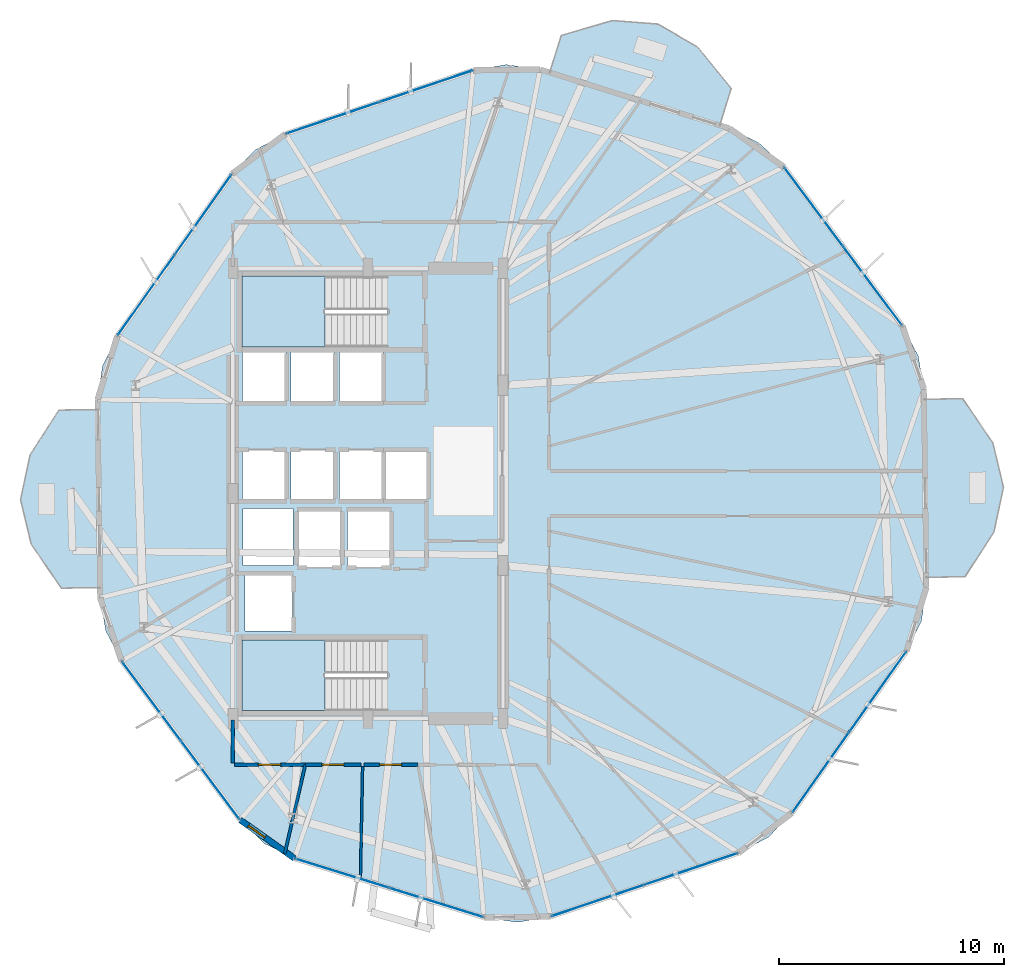
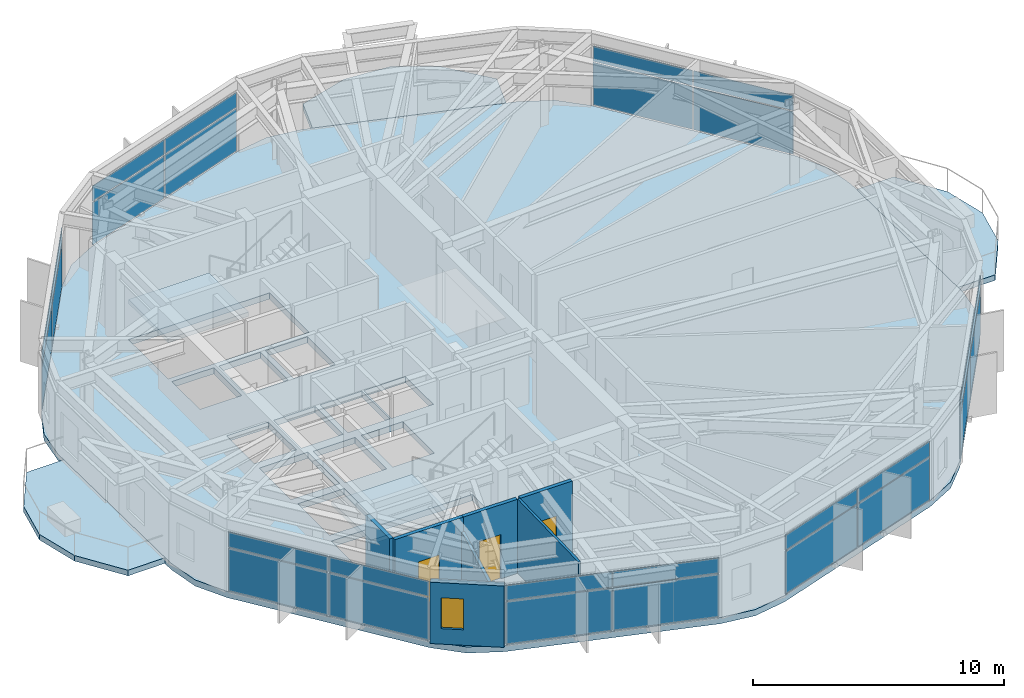
# One storey, part 18 of 25: 28 plates, 7 walls, 6 slabs, 3 doors, 1 window, 4 openings, 9 elements without a shape of their own.
"""IFC4 building model written with IfcOpenShell, lengths in metres."""

import ifcopenshell
import ifcopenshell.guid

model = None  # the IFC model being written
_history = None  # IfcOwnerHistory: only IFC2X3 demands one
_inside = {}  # id of a spatial element -> (the spatial element, [elements in it])
_under = {}  # id of a project, library or spatial element -> (it, [spatial elements below it])
_declared = {}  # id of a project -> (the project, [libraries it declares])
_typed = {}  # id of a type object -> (the type object, [elements of that type])
_made_of = {}  # id of a material, layer set ... -> (it, [elements and type objects made of it])


def new_model(schema):
    """Start an empty IFC model of exactly this schema.

    Asked for "IFC4X3", IfcOpenShell would pick the latest addendum, in which some entities
    have other attributes; the version numbers below select the first issue.
    IFC2X3 requires an IfcOwnerHistory on every rooted entity: one is made here for all.
    """
    global model, _history
    if schema == "IFC4X3":
        model = ifcopenshell.file(schema_version=(4, 3, 0, 0))
    else:
        model = ifcopenshell.file(schema=schema)
    _inside.clear()
    _under.clear()
    _declared.clear()
    _typed.clear()
    _made_of.clear()
    _history = None
    if model.schema == "IFC2X3":
        org = make("IfcOrganization", Name="unknown")
        user = make(
            "IfcPersonAndOrganization",
            ThePerson=make("IfcPerson", FamilyName="unknown"),
            TheOrganization=org,
        )
        app = make(
            "IfcApplication",
            ApplicationDeveloper=org,
            Version="unknown",
            ApplicationFullName="unknown",
            ApplicationIdentifier="unknown",
        )
        _history = make(
            "IfcOwnerHistory",
            OwningUser=user,
            OwningApplication=app,
            ChangeAction="ADDED",
            CreationDate=0,
        )
    return model


def make(cls, **values):
    """One entity of the class cls with the attributes given. An attribute that is None is left unset."""
    return model.create_entity(
        cls, **{name: value for name, value in values.items() if value is not None}
    )


def rooted(cls, **values):
    """An entity with a GlobalId (a new one), such as an element, a storey or a relation."""
    return make(cls, GlobalId=ifcopenshell.guid.new(), OwnerHistory=_history, **values)


def si_unit(unit_type, name, prefix=None):
    """IfcSIUnit, for example si_unit("LENGTHUNIT", "METRE", prefix="MILLI")."""
    return make("IfcSIUnit", UnitType=unit_type, Prefix=prefix, Name=name)


def assignment(units):
    """IfcUnitAssignment: the units of a project."""
    return None if units is None else make("IfcUnitAssignment", Units=units)


def point(xyz):
    """IfcCartesianPoint."""
    return None if xyz is None else make("IfcCartesianPoint", Coordinates=xyz)


def direction(xyz):
    """IfcDirection."""
    return None if xyz is None else make("IfcDirection", DirectionRatios=xyz)


def frame(location, z_axis=None, x_axis=None):
    """IfcAxis2Placement3D, a coordinate frame: its origin and axes. An axis left out is left unset."""
    return make(
        "IfcAxis2Placement3D",
        Location=point(location),
        Axis=direction(z_axis),
        RefDirection=direction(x_axis),
    )


def frame_2d(location, x_axis=None):
    """IfcAxis2Placement2D, a coordinate frame in the plane: its origin and x axis."""
    return make(
        "IfcAxis2Placement2D", Location=point(location), RefDirection=direction(x_axis)
    )


def origin():
    """The frame at (0, 0, 0) with its axes left unset."""
    return frame((0.0, 0.0, 0.0))


def origin_2d():
    """The frame at (0, 0) in the plane with its x axis left unset."""
    return frame_2d((0.0, 0.0))


def place(relative_to, where):
    """IfcLocalPlacement: puts the frame where relative to a parent placement (None: the world)."""
    return make(
        "IfcLocalPlacement", PlacementRelTo=relative_to, RelativePlacement=where
    )


def context(
    kind, dimensions, precision=None, world=None, true_north=None, identifier=None
):
    """IfcGeometricRepresentationContext, for example the 3D "Model" context."""
    return make(
        "IfcGeometricRepresentationContext",
        ContextIdentifier=identifier,
        ContextType=kind,
        CoordinateSpaceDimension=dimensions,
        Precision=precision,
        WorldCoordinateSystem=world,
        TrueNorth=true_north,
    )


def subcontext(parent, identifier, kind, view, scale=None):
    """IfcGeometricRepresentationSubContext, for example "Body" below "Model"."""
    return make(
        "IfcGeometricRepresentationSubContext",
        ContextIdentifier=identifier,
        ContextType=kind,
        ParentContext=parent,
        TargetScale=scale,
        TargetView=view,
    )


def project(units=None, contexts=None):
    """IfcProject with its units and contexts."""
    return rooted(
        "IfcProject",
        Name="project",
        RepresentationContexts=contexts,
        UnitsInContext=assignment(units),
    )


def spatial(cls, under=None, at=None, **own):
    """A site, building, storey or space (cls), placed at a placement, below another one or the project."""
    s = rooted(cls, ObjectPlacement=at, **own)
    if under is not None:
        _under.setdefault(under.id(), (under, []))[1].append(s)
    return s


def polyline(points):
    """IfcPolyline through the points."""
    return make("IfcPolyline", Points=[point(p) for p in points])


def profile(cls, at=None, kind="AREA", **sizes):
    """A parametric profile (cls). Its sizes go by their IFC names, for example OverallWidth=200.0."""
    return make(cls, ProfileType=kind, Position=at, **sizes)


def rectangle(**sizes):
    """IfcRectangleProfileDef."""
    return profile("IfcRectangleProfileDef", **sizes)


def outline(outer, holes=None, kind="AREA"):
    """IfcArbitraryClosedProfileDef: a profile drawn as a closed curve; with holes, ...WithVoids."""
    if holes is None:
        return make("IfcArbitraryClosedProfileDef", ProfileType=kind, OuterCurve=outer)
    return make(
        "IfcArbitraryProfileDefWithVoids",
        ProfileType=kind,
        OuterCurve=outer,
        InnerCurves=holes,
    )


def extrude(swept, where, along, depth):
    """IfcExtrudedAreaSolid: the profile swept, set in the frame where, extruded along a direction by depth."""
    return make(
        "IfcExtrudedAreaSolid",
        SweptArea=swept,
        Position=where,
        ExtrudedDirection=direction(along),
        Depth=depth,
    )


def shape(context_of_items, identifier, shape_type, items):
    """IfcShapeRepresentation: the items that make up one representation, for example the "Body"."""
    return make(
        "IfcShapeRepresentation",
        ContextOfItems=context_of_items,
        RepresentationIdentifier=identifier,
        RepresentationType=shape_type,
        Items=items,
    )


def material(Name=None, Category=None):
    """IfcMaterial."""
    return make("IfcMaterial", Name=Name, Category=Category)


def layer(
    of_material, thickness, ventilated=None, Name=None, Category=None, Priority=None
):
    """IfcMaterialLayer: one layer of a wall or slab, of a material (None: an air gap)."""
    return make(
        "IfcMaterialLayer",
        Material=of_material,
        LayerThickness=thickness,
        IsVentilated=ventilated,
        Name=Name,
        Category=Category,
        Priority=Priority,
    )


def layer_set(layers, Name=None):
    """IfcMaterialLayerSet."""
    return make("IfcMaterialLayerSet", MaterialLayers=layers, LayerSetName=Name)


def made_of(thing, what):
    """Note that an element or type object is made of a material, layer set ...; save() writes the relation."""
    if what is not None:
        _made_of.setdefault(what.id(), (what, []))[1].append(thing)
    return thing


def type_object(cls, material=None, **own):
    """A type object (cls), such as IfcWallType, which elements share."""
    return made_of(rooted(cls, **own), material)


def element(
    cls,
    number,
    at=None,
    inside=None,
    cuts=None,
    type_object=None,
    material=None,
    context=None,
    identifier="Body",
    shape_type=None,
    held_by="IfcProductDefinitionShape",
    body=None,
    shapes=None,
    **own,
):
    """One element of the class cls, such as IfcWall. Its Tag is "e" and its number.

    at: its placement. inside: the storey or other place that contains it. cuts: it is an
    opening in that element (IfcRelVoidsElement). A single representation is given by context,
    identifier, shape_type and body (its items); several are given by shapes. held_by: the class
    of the entity that holds the representations. save() writes the other relations.
    """
    e = rooted(cls, Tag="e%d" % number, ObjectPlacement=at, **own)
    if body is not None:
        shapes = [shape(context, identifier, shape_type, body)]
    if shapes is not None:
        e.Representation = make(held_by, Representations=shapes)
    if inside is not None:
        _inside.setdefault(inside.id(), (inside, []))[1].append(e)
    if cuts is not None:
        rooted(
            "IfcRelVoidsElement", RelatingBuildingElement=cuts, RelatedOpeningElement=e
        )
    if type_object is not None:
        _typed.setdefault(type_object.id(), (type_object, []))[1].append(e)
    return made_of(e, material)


def fill(opening, filler):
    """IfcRelFillsElement: the door or window that sits in an opening."""
    return rooted(
        "IfcRelFillsElement",
        RelatingOpeningElement=opening,
        RelatedBuildingElement=filler,
    )


def aggregate(whole, parts):
    """IfcRelAggregates: a whole, such as a stair, and the parts it consists of."""
    return rooted("IfcRelAggregates", RelatingObject=whole, RelatedObjects=parts)


def save(model, path):
    """Write the relations noted so far, then the file.

    IfcRelAggregates (storeys below a building ...), IfcRelContainedInSpatialStructure (elements
    in a storey), IfcRelDefinesByType, IfcRelAssociatesMaterial and IfcRelDeclares: one each for
    every whole, place, type object, material and project.
    """
    for whole, parts in _under.values():
        aggregate(whole, parts)
    for where, things in _inside.values():
        rooted(
            "IfcRelContainedInSpatialStructure",
            RelatedElements=things,
            RelatingStructure=where,
        )
    for kind, things in _typed.values():
        rooted("IfcRelDefinesByType", RelatedObjects=things, RelatingType=kind)
    for what, things in _made_of.values():
        rooted("IfcRelAssociatesMaterial", RelatedObjects=things, RelatingMaterial=what)
    for by, libraries in _declared.values():
        rooted("IfcRelDeclares", RelatingContext=by, RelatedDefinitions=libraries)
    model.write(path)


model = new_model("IFC4")

# Units and contexts
model_context = context("Model", 3, precision=1e-05, world=origin(), true_north=direction((0.0, 1.0)))
body_context = subcontext(model_context, "Body", "Model", "MODEL_VIEW")
ifc_project = project(units=[si_unit("LENGTHUNIT", "METRE"), si_unit("AREAUNIT", "SQUARE_METRE"), si_unit("VOLUMEUNIT", "CUBIC_METRE"), si_unit("PLANEANGLEUNIT", "RADIAN"), si_unit("MASSUNIT", "GRAM", prefix="KILO")], contexts=[model_context])

# Site, building, storey
site_placement = place(None, origin())
site = spatial("IfcSite", under=ifc_project, at=site_placement, CompositionType="ELEMENT")
building_placement = place(site_placement, origin())
building = spatial("IfcBuilding", under=site, at=building_placement, Name="Soratama Intermodal Tower", CompositionType="ELEMENT")
storey_placement = place(building_placement, frame((0.0, 0.0, 106.89990234375)))
storey = spatial("IfcBuildingStorey", under=building, at=storey_placement, Name="L25", CompositionType="ELEMENT", Elevation=106.89990234375)

# Curtain wall, plates
ifc_material_1 = material(Name="Double-glazed aluminium curtain wall", Category="aluminium")
ifc_layer_1 = layer(ifc_material_1, 0.159912109375)
ifc_layer_set_1 = layer_set([ifc_layer_1], Name="Double-glazed aluminium curtain wall")
curtain_wall_type = type_object("IfcCurtainWallType", Name="CW-SYS-3", PredefinedType="NOTDEFINED", material=ifc_layer_set_1)
curtain_wall_1_placement = place(storey_placement, origin())
curtain_wall_1 = element("IfcCurtainWall", 1, at=curtain_wall_1_placement, inside=storey, type_object=curtain_wall_type, Name="L25 Faceted Curtain Wall F01", PredefinedType="NOTDEFINED")
ifc_material_2 = material(Name="Low-E laminated double glazing", Category="glass")
ifc_layer_2 = layer(ifc_material_2, 0.028076171875)
ifc_layer_set_2 = layer_set([ifc_layer_2], Name="Low-E laminated double glazing")
plate_type = type_object("IfcPlateType", Name="PT-CWP-3", PredefinedType="CURTAIN_PANEL", material=ifc_layer_set_2)
plate_1_placement = place(storey_placement, frame((61.017578125, 34.219970703125, 0.06005859375), z_axis=(0.0, 0.0, 1.0), x_axis=(-0.597908595027, 0.801564290617, 0.0)))
plate_1 = element("IfcPlate", 2, at=plate_1_placement, type_object=plate_type, Name="CW-3 panel 1.1", PredefinedType="CURTAIN_PANEL", context=body_context, shape_type="SweptSolid", body=[
    extrude(rectangle(XDim=4.313232421875, YDim=0.028076171875, at=origin_2d()), origin(), (0.0, 0.0, 1.0), 2.06005859375),
])
plate_2_placement = place(storey_placement, frame((61.017578125, 34.219970703125, 2.18017578125), z_axis=(0.0, 0.0, 1.0), x_axis=(-0.597908595027, 0.801564290617, 0.0)))
plate_2 = element("IfcPlate", 3, at=plate_2_placement, type_object=plate_type, Name="CW-3 panel 1.2", PredefinedType="CURTAIN_PANEL", context=body_context, shape_type="SweptSolid", body=[
    extrude(rectangle(XDim=4.313232421875, YDim=0.028076171875, at=origin_2d()), origin(), (0.0, 0.0, 1.0), 0.739013671875),
])
plate_3_placement = place(storey_placement, frame((58.40283203125, 37.725341796875, 0.06005859375), z_axis=(0.0, 0.0, 1.0), x_axis=(-0.597908595027, 0.801564290617, 0.0)))
plate_3 = element("IfcPlate", 4, at=plate_3_placement, type_object=plate_type, Name="CW-3 panel 2.1", PredefinedType="CURTAIN_PANEL", context=body_context, shape_type="SweptSolid", body=[
    extrude(rectangle(XDim=4.313232421875, YDim=0.028076171875, at=origin_2d()), origin(), (0.0, 0.0, 1.0), 2.06005859375),
])
plate_4_placement = place(storey_placement, frame((58.40283203125, 37.725341796875, 2.18017578125), z_axis=(0.0, 0.0, 1.0), x_axis=(-0.597908595027, 0.801564290617, 0.0)))
plate_4 = element("IfcPlate", 5, at=plate_4_placement, type_object=plate_type, Name="CW-3 panel 2.2", PredefinedType="CURTAIN_PANEL", context=body_context, shape_type="SweptSolid", body=[
    extrude(rectangle(XDim=4.313232421875, YDim=0.028076171875, at=origin_2d()), origin(), (0.0, 0.0, 1.0), 0.739013671875),
])
aggregate(curtain_wall_1, [plate_1, plate_2, plate_3, plate_4])

curtain_wall_2_placement = place(storey_placement, origin())
curtain_wall_2 = element("IfcCurtainWall", 6, at=curtain_wall_2_placement, inside=storey, type_object=curtain_wall_type, Name="L25 Faceted Curtain Wall F03", PredefinedType="NOTDEFINED")
plate_5_placement = place(storey_placement, frame((41.18115234375, 43.082763671875, 0.06005859375), z_axis=(0.0, 0.0, 1.0), x_axis=(-0.94709770814, -0.320945371109, 0.0)))
plate_5 = element("IfcPlate", 7, at=plate_5_placement, type_object=plate_type, Name="CW-3 panel 1.1", PredefinedType="CURTAIN_PANEL", context=body_context, shape_type="SweptSolid", body=[
    extrude(rectangle(XDim=4.313232421875, YDim=0.028076171875, at=origin_2d()), origin(), (0.0, 0.0, 1.0), 2.06005859375),
])
plate_6_placement = place(storey_placement, frame((41.18115234375, 43.082763671875, 2.18017578125), z_axis=(0.0, 0.0, 1.0), x_axis=(-0.94709770814, -0.320945371109, 0.0)))
plate_6 = element("IfcPlate", 8, at=plate_6_placement, type_object=plate_type, Name="CW-3 panel 1.2", PredefinedType="CURTAIN_PANEL", context=body_context, shape_type="SweptSolid", body=[
    extrude(rectangle(XDim=4.313232421875, YDim=0.028076171875, at=origin_2d()), origin(), (0.0, 0.0, 1.0), 0.739013671875),
])
plate_7_placement = place(storey_placement, frame((37.0390625, 41.67919921875, 0.06005859375), z_axis=(0.0, 0.0, 1.0), x_axis=(-0.94709770814, -0.320945371109, 0.0)))
plate_7 = element("IfcPlate", 9, at=plate_7_placement, type_object=plate_type, Name="CW-3 panel 2.1", PredefinedType="CURTAIN_PANEL", context=body_context, shape_type="SweptSolid", body=[
    extrude(rectangle(XDim=4.313232421875, YDim=0.028076171875, at=origin_2d()), origin(), (0.0, 0.0, 1.0), 2.06005859375),
])
plate_8_placement = place(storey_placement, frame((37.0390625, 41.67919921875, 2.18017578125), z_axis=(0.0, 0.0, 1.0), x_axis=(-0.94709770814, -0.320945371109, 0.0)))
plate_8 = element("IfcPlate", 10, at=plate_8_placement, type_object=plate_type, Name="CW-3 panel 2.2", PredefinedType="CURTAIN_PANEL", context=body_context, shape_type="SweptSolid", body=[
    extrude(rectangle(XDim=4.313232421875, YDim=0.028076171875, at=origin_2d()), origin(), (0.0, 0.0, 1.0), 0.739013671875),
])
aggregate(curtain_wall_2, [plate_5, plate_6, plate_7, plate_8])

curtain_wall_3_placement = place(storey_placement, origin())
curtain_wall_3 = element("IfcCurtainWall", 11, at=curtain_wall_3_placement, inside=storey, type_object=curtain_wall_type, Name="L25 Faceted Curtain Wall F04", PredefinedType="NOTDEFINED")
plate_9_placement = place(storey_placement, frame((31.281494140625, 37.384521484375, 0.06005859375), z_axis=(0.0, 0.0, 1.0), x_axis=(-0.57758027454, -0.816333893981, 0.0)))
plate_9 = element("IfcPlate", 12, at=plate_9_placement, type_object=plate_type, Name="CW-3 panel 1.1", PredefinedType="CURTAIN_PANEL", context=body_context, shape_type="SweptSolid", body=[
    extrude(rectangle(XDim=4.313232421875, YDim=0.028076171875, at=origin_2d()), origin(), (0.0, 0.0, 1.0), 2.06005859375),
])
plate_10_placement = place(storey_placement, frame((31.281494140625, 37.384521484375, 2.18017578125), z_axis=(0.0, 0.0, 1.0), x_axis=(-0.57758027454, -0.816333893981, 0.0)))
plate_10 = element("IfcPlate", 13, at=plate_10_placement, type_object=plate_type, Name="CW-3 panel 1.2", PredefinedType="CURTAIN_PANEL", context=body_context, shape_type="SweptSolid", body=[
    extrude(rectangle(XDim=4.313232421875, YDim=0.028076171875, at=origin_2d()), origin(), (0.0, 0.0, 1.0), 0.739013671875),
])
plate_11_placement = place(storey_placement, frame((28.755615234375, 33.814453125, 0.06005859375), z_axis=(0.0, 0.0, 1.0), x_axis=(-0.57758027454, -0.816333893981, 0.0)))
plate_11 = element("IfcPlate", 14, at=plate_11_placement, type_object=plate_type, Name="CW-3 panel 2.1", PredefinedType="CURTAIN_PANEL", context=body_context, shape_type="SweptSolid", body=[
    extrude(rectangle(XDim=4.313232421875, YDim=0.028076171875, at=origin_2d()), origin(), (0.0, 0.0, 1.0), 2.06005859375),
])
plate_12_placement = place(storey_placement, frame((28.755615234375, 33.814453125, 2.18017578125), z_axis=(0.0, 0.0, 1.0), x_axis=(-0.57758027454, -0.816333893981, 0.0)))
plate_12 = element("IfcPlate", 15, at=plate_12_placement, type_object=plate_type, Name="CW-3 panel 2.2", PredefinedType="CURTAIN_PANEL", context=body_context, shape_type="SweptSolid", body=[
    extrude(rectangle(XDim=4.313232421875, YDim=0.028076171875, at=origin_2d()), origin(), (0.0, 0.0, 1.0), 0.739013671875),
])
aggregate(curtain_wall_3, [plate_9, plate_10, plate_11, plate_12])

curtain_wall_4_placement = place(storey_placement, origin())
curtain_wall_4 = element("IfcCurtainWall", 16, at=curtain_wall_4_placement, inside=storey, type_object=curtain_wall_type, Name="L25 Faceted Curtain Wall F06", PredefinedType="NOTDEFINED")
plate_13_placement = place(storey_placement, frame((28.982421875, 15.780029296875, 0.06005859375), z_axis=(0.0, 0.0, 1.0), x_axis=(0.597908595027, -0.801564290617, 0.0)))
plate_13 = element("IfcPlate", 17, at=plate_13_placement, type_object=plate_type, Name="CW-3 panel 1.1", PredefinedType="CURTAIN_PANEL", context=body_context, shape_type="SweptSolid", body=[
    extrude(rectangle(XDim=4.313232421875, YDim=0.028076171875, at=origin_2d()), origin(), (0.0, 0.0, 1.0), 2.06005859375),
])
plate_14_placement = place(storey_placement, frame((28.982421875, 15.780029296875, 2.18017578125), z_axis=(0.0, 0.0, 1.0), x_axis=(0.597908595027, -0.801564290617, 0.0)))
plate_14 = element("IfcPlate", 18, at=plate_14_placement, type_object=plate_type, Name="CW-3 panel 1.2", PredefinedType="CURTAIN_PANEL", context=body_context, shape_type="SweptSolid", body=[
    extrude(rectangle(XDim=4.313232421875, YDim=0.028076171875, at=origin_2d()), origin(), (0.0, 0.0, 1.0), 0.739013671875),
])
plate_15_placement = place(storey_placement, frame((31.59716796875, 12.274658203125, 0.06005859375), z_axis=(0.0, 0.0, 1.0), x_axis=(0.597908595027, -0.801564290617, 0.0)))
plate_15 = element("IfcPlate", 19, at=plate_15_placement, type_object=plate_type, Name="CW-3 panel 2.1", PredefinedType="CURTAIN_PANEL", context=body_context, shape_type="SweptSolid", body=[
    extrude(rectangle(XDim=4.313232421875, YDim=0.028076171875, at=origin_2d()), origin(), (0.0, 0.0, 1.0), 2.06005859375),
])
plate_16_placement = place(storey_placement, frame((31.59716796875, 12.274658203125, 2.18017578125), z_axis=(0.0, 0.0, 1.0), x_axis=(0.597908595027, -0.801564290617, 0.0)))
plate_16 = element("IfcPlate", 20, at=plate_16_placement, type_object=plate_type, Name="CW-3 panel 2.2", PredefinedType="CURTAIN_PANEL", context=body_context, shape_type="SweptSolid", body=[
    extrude(rectangle(XDim=4.313232421875, YDim=0.028076171875, at=origin_2d()), origin(), (0.0, 0.0, 1.0), 0.739013671875),
])
aggregate(curtain_wall_4, [plate_13, plate_14, plate_15, plate_16])

curtain_wall_5_placement = place(storey_placement, origin())
curtain_wall_5 = element("IfcCurtainWall", 21, at=curtain_wall_5_placement, inside=storey, type_object=curtain_wall_type, Name="L25 Faceted Curtain Wall F07", PredefinedType="NOTDEFINED")
plate_17_placement = place(storey_placement, frame((37.460693359375, 8.1259765625, 0.06005859375), z_axis=(0.0, 0.0, 1.0), x_axis=(0.954865293572, -0.297039174407, 0.0)))
plate_17 = element("IfcPlate", 22, at=plate_17_placement, type_object=plate_type, Name="CW-3 panel 1.1", PredefinedType="CURTAIN_PANEL", context=body_context, shape_type="SweptSolid", body=[
    extrude(rectangle(XDim=4.313232421875, YDim=0.028076171875, at=origin_2d()), origin(), (0.0, 0.0, 1.0), 2.06005859375),
])
plate_18_placement = place(storey_placement, frame((37.460693359375, 8.1259765625, 2.18017578125), z_axis=(0.0, 0.0, 1.0), x_axis=(0.954865293572, -0.297039174407, 0.0)))
plate_18 = element("IfcPlate", 23, at=plate_18_placement, type_object=plate_type, Name="CW-3 panel 1.2", PredefinedType="CURTAIN_PANEL", context=body_context, shape_type="SweptSolid", body=[
    extrude(rectangle(XDim=4.313232421875, YDim=0.028076171875, at=origin_2d()), origin(), (0.0, 0.0, 1.0), 0.739013671875),
])
plate_19_placement = place(storey_placement, frame((41.63671875, 6.826904296875, 0.06005859375), z_axis=(0.0, 0.0, 1.0), x_axis=(0.954865293572, -0.297039174407, 0.0)))
plate_19 = element("IfcPlate", 24, at=plate_19_placement, type_object=plate_type, Name="CW-3 panel 2.1", PredefinedType="CURTAIN_PANEL", context=body_context, shape_type="SweptSolid", body=[
    extrude(rectangle(XDim=4.313232421875, YDim=0.028076171875, at=origin_2d()), origin(), (0.0, 0.0, 1.0), 2.06005859375),
])
plate_20_placement = place(storey_placement, frame((41.63671875, 6.826904296875, 2.18017578125), z_axis=(0.0, 0.0, 1.0), x_axis=(0.954865293572, -0.297039174407, 0.0)))
plate_20 = element("IfcPlate", 25, at=plate_20_placement, type_object=plate_type, Name="CW-3 panel 2.2", PredefinedType="CURTAIN_PANEL", context=body_context, shape_type="SweptSolid", body=[
    extrude(rectangle(XDim=4.313232421875, YDim=0.028076171875, at=origin_2d()), origin(), (0.0, 0.0, 1.0), 0.739013671875),
])
aggregate(curtain_wall_5, [plate_17, plate_18, plate_19, plate_20])

curtain_wall_6_placement = place(storey_placement, origin())
curtain_wall_6 = element("IfcCurtainWall", 26, at=curtain_wall_6_placement, inside=storey, type_object=curtain_wall_type, Name="L25 Faceted Curtain Wall F08", PredefinedType="NOTDEFINED")
plate_21_placement = place(storey_placement, frame((48.81884765625, 6.917236328125, 0.06005859375), z_axis=(0.0, 0.0, 1.0), x_axis=(0.94709770814, 0.320945371109, 0.0)))
plate_21 = element("IfcPlate", 27, at=plate_21_placement, type_object=plate_type, Name="CW-3 panel 1.1", PredefinedType="CURTAIN_PANEL", context=body_context, shape_type="SweptSolid", body=[
    extrude(rectangle(XDim=4.313232421875, YDim=0.028076171875, at=origin_2d()), origin(), (0.0, 0.0, 1.0), 2.06005859375),
])
plate_22_placement = place(storey_placement, frame((48.81884765625, 6.917236328125, 2.18017578125), z_axis=(0.0, 0.0, 1.0), x_axis=(0.94709770814, 0.320945371109, 0.0)))
plate_22 = element("IfcPlate", 28, at=plate_22_placement, type_object=plate_type, Name="CW-3 panel 1.2", PredefinedType="CURTAIN_PANEL", context=body_context, shape_type="SweptSolid", body=[
    extrude(rectangle(XDim=4.313232421875, YDim=0.028076171875, at=origin_2d()), origin(), (0.0, 0.0, 1.0), 0.739013671875),
])
plate_23_placement = place(storey_placement, frame((52.9609375, 8.32080078125, 0.06005859375), z_axis=(0.0, 0.0, 1.0), x_axis=(0.94709770814, 0.320945371109, 0.0)))
plate_23 = element("IfcPlate", 29, at=plate_23_placement, type_object=plate_type, Name="CW-3 panel 2.1", PredefinedType="CURTAIN_PANEL", context=body_context, shape_type="SweptSolid", body=[
    extrude(rectangle(XDim=4.313232421875, YDim=0.028076171875, at=origin_2d()), origin(), (0.0, 0.0, 1.0), 2.06005859375),
])
plate_24_placement = place(storey_placement, frame((52.9609375, 8.32080078125, 2.18017578125), z_axis=(0.0, 0.0, 1.0), x_axis=(0.94709770814, 0.320945371109, 0.0)))
plate_24 = element("IfcPlate", 30, at=plate_24_placement, type_object=plate_type, Name="CW-3 panel 2.2", PredefinedType="CURTAIN_PANEL", context=body_context, shape_type="SweptSolid", body=[
    extrude(rectangle(XDim=4.313232421875, YDim=0.028076171875, at=origin_2d()), origin(), (0.0, 0.0, 1.0), 0.739013671875),
])
aggregate(curtain_wall_6, [plate_21, plate_22, plate_23, plate_24])

curtain_wall_7_placement = place(storey_placement, origin())
curtain_wall_7 = element("IfcCurtainWall", 31, at=curtain_wall_7_placement, inside=storey, type_object=curtain_wall_type, Name="L25 Faceted Curtain Wall F09", PredefinedType="NOTDEFINED")
plate_25_placement = place(storey_placement, frame((58.718505859375, 12.615478515625, 0.06005859375), z_axis=(0.0, 0.0, 1.0), x_axis=(0.57758027454, 0.816333893981, 0.0)))
plate_25 = element("IfcPlate", 32, at=plate_25_placement, type_object=plate_type, Name="CW-3 panel 1.1", PredefinedType="CURTAIN_PANEL", context=body_context, shape_type="SweptSolid", body=[
    extrude(rectangle(XDim=4.313232421875, YDim=0.028076171875, at=origin_2d()), origin(), (0.0, 0.0, 1.0), 2.06005859375),
])
plate_26_placement = place(storey_placement, frame((58.718505859375, 12.615478515625, 2.18017578125), z_axis=(0.0, 0.0, 1.0), x_axis=(0.57758027454, 0.816333893981, 0.0)))
plate_26 = element("IfcPlate", 33, at=plate_26_placement, type_object=plate_type, Name="CW-3 panel 1.2", PredefinedType="CURTAIN_PANEL", context=body_context, shape_type="SweptSolid", body=[
    extrude(rectangle(XDim=4.313232421875, YDim=0.028076171875, at=origin_2d()), origin(), (0.0, 0.0, 1.0), 0.739013671875),
])
plate_27_placement = place(storey_placement, frame((61.244384765625, 16.185546875, 0.06005859375), z_axis=(0.0, 0.0, 1.0), x_axis=(0.57758027454, 0.816333893981, 0.0)))
plate_27 = element("IfcPlate", 34, at=plate_27_placement, type_object=plate_type, Name="CW-3 panel 2.1", PredefinedType="CURTAIN_PANEL", context=body_context, shape_type="SweptSolid", body=[
    extrude(rectangle(XDim=4.313232421875, YDim=0.028076171875, at=origin_2d()), origin(), (0.0, 0.0, 1.0), 2.06005859375),
])
plate_28_placement = place(storey_placement, frame((61.244384765625, 16.185546875, 2.18017578125), z_axis=(0.0, 0.0, 1.0), x_axis=(0.57758027454, 0.816333893981, 0.0)))
plate_28 = element("IfcPlate", 35, at=plate_28_placement, type_object=plate_type, Name="CW-3 panel 2.2", PredefinedType="CURTAIN_PANEL", context=body_context, shape_type="SweptSolid", body=[
    extrude(rectangle(XDim=4.313232421875, YDim=0.028076171875, at=origin_2d()), origin(), (0.0, 0.0, 1.0), 0.739013671875),
])
aggregate(curtain_wall_7, [plate_25, plate_26, plate_27, plate_28])

# Slabs
ifc_material_3 = material(Name="Concrete f'c 42 MPa", Category="concrete")
ifc_layer_3 = layer(ifc_material_3, 0.27001953125)
ifc_layer_set_3 = layer_set([ifc_layer_3], Name="Concrete f'c 42 MPa")
slab_type_1 = type_object("IfcSlabType", Name="SL-EXT-BAL1", PredefinedType="FLOOR", material=ifc_layer_set_3)
slab_1_placement = place(storey_placement, frame((0.0, 0.0, -0.27001953125)))
element("IfcSlab", 36, at=slab_1_placement, inside=storey, type_object=slab_type_1, Name="L25 Planted Balcony East 1", PredefinedType="FLOOR", context=body_context, shape_type="SweptSolid", body=[
    extrude(outline(polyline([(63.400146484375, 21.277587890625), (63.30078125, 29.18359375), (65.0205078125, 29.205078125), (66.356201171875, 27.2451171875), (66.830078125, 25.2744140625), (66.406005859375, 23.292236328125), (65.1201171875, 21.29931640625), (63.400146484375, 21.277587890625)])), origin(), (0.0, 0.0, 1.0), 0.27001953125),
])
slab_2_placement = place(storey_placement, frame((0.0, 0.0, -0.27001953125)))
element("IfcSlab", 37, at=slab_2_placement, inside=storey, type_object=slab_type_1, Name="L25 Planted Balcony North 2", PredefinedType="FLOOR", context=body_context, shape_type="SweptSolid", body=[
    extrude(outline(polyline([(54.22607421875, 41.349365234375), (46.676513671875, 43.69775390625), (47.187255859375, 45.340087890625), (49.464111328125, 46.0048828125), (51.48486328125, 45.846435546875), (53.239013671875, 44.83056640625), (54.737060546875, 42.99169921875), (54.22607421875, 41.349365234375)])), origin(), (0.0, 0.0, 1.0), 0.27001953125),
])
slab_3_placement = place(storey_placement, frame((0.0, 0.0, -0.27001953125)))
element("IfcSlab", 38, at=slab_3_placement, inside=storey, type_object=slab_type_1, Name="L25 Planted Balcony West 3", PredefinedType="FLOOR", context=body_context, shape_type="SweptSolid", body=[
    extrude(outline(polyline([(26.599853515625, 28.722412109375), (26.69921875, 20.81640625), (24.9794921875, 20.794921875), (23.643798828125, 22.7548828125), (23.169921875, 24.7255859375), (23.593994140625, 26.707763671875), (24.8798828125, 28.70068359375), (26.599853515625, 28.722412109375)])), origin(), (0.0, 0.0, 1.0), 0.27001953125),
])

# Stair, slab
ifc_material_4 = material(Name="Concrete f'c 42 MPa", Category="concrete")
stair_type = type_object("IfcStairType", Name="ST-CORE-DOGLEG", PredefinedType="HALF_TURN_STAIR", material=ifc_material_4)
stair_1_placement = place(storey_placement, origin())
stair_1 = element("IfcStair", 39, at=stair_1_placement, inside=storey, type_object=stair_type, Name="L25 ST-1", PredefinedType="HALF_TURN_STAIR")
ifc_material_5 = material(Name="Concrete f'c 42 MPa", Category="concrete")
ifc_layer_4 = layer(ifc_material_5, 0.219970703125)
ifc_layer_set_4 = layer_set([ifc_layer_4], Name="Concrete f'c 42 MPa")
slab_type_2 = type_object("IfcSlabType", Name="SL-STAIR-LAND", PredefinedType="LANDING", material=ifc_layer_set_4)
slab_4_placement = place(storey_placement, frame((0.0, 0.0, 1.75)))
slab_4 = element("IfcSlab", 40, at=slab_4_placement, type_object=slab_type_2, Name="ST-1 landing 1", PredefinedType="LANDING", context=body_context, shape_type="SweptSolid", body=[
    extrude(outline(polyline([(36.699951171875, 18.5), (33.0, 18.5), (33.0, 15.35009765625), (36.699951171875, 15.35009765625), (36.699951171875, 18.5)])), origin(), (0.0, 0.0, 1.0), 0.2001953125),
])
aggregate(stair_1, [slab_4])

stair_2_placement = place(storey_placement, origin())
stair_2 = element("IfcStair", 41, at=stair_2_placement, inside=storey, type_object=stair_type, Name="L25 ST-2", PredefinedType="HALF_TURN_STAIR")
slab_5_placement = place(storey_placement, frame((0.0, 0.0, 1.75)))
slab_5 = element("IfcSlab", 42, at=slab_5_placement, type_object=slab_type_2, Name="ST-2 landing 1", PredefinedType="LANDING", context=body_context, shape_type="SweptSolid", body=[
    extrude(outline(polyline([(36.699951171875, 34.64990234375), (33.0, 34.64990234375), (33.0, 31.5), (36.699951171875, 31.5), (36.699951171875, 34.64990234375)])), origin(), (0.0, 0.0, 1.0), 0.2001953125),
])
aggregate(stair_2, [slab_5])

# Slab
ifc_material_6 = material(Name="Concrete f'c 42 MPa", Category="concrete")
ifc_layer_5 = layer(ifc_material_6, 0.280029296875)
ifc_layer_set_5 = layer_set([ifc_layer_5], Name="Concrete f'c 42 MPa")
slab_type_3 = type_object("IfcSlabType", Name="SL-TWR-280", PredefinedType="FLOOR", material=ifc_layer_set_5)
slab_6_placement = place(storey_placement, frame((0.0, 0.0, -0.2998046875)))
element("IfcSlab", 43, at=slab_6_placement, inside=storey, type_object=slab_type_3, Name="L25 Structural Floor Slab", PredefinedType="FLOOR", context=body_context, shape_type="SweptSolid", body=[
    extrude(outline(polyline([(63.295166015625, 29.633544921875), (63.04150390625, 31.11376953125), (62.343017578125, 32.443115234375), (57.077392578125, 39.502197265625), (56.002197265625, 40.55078125), (54.65576171875, 41.215576171875), (46.24658203125, 43.83154296875), (44.760498046875, 44.0478515625), (43.280517578125, 43.794189453125), (34.939697265625, 40.9677734375), (33.6103515625, 40.269287109375), (32.56201171875, 39.194091796875), (27.475341796875, 32.0048828125), (26.810546875, 30.658447265625), (26.59423828125, 29.17236328125), (26.704833984375, 20.366455078125), (26.95849609375, 18.88623046875), (27.656982421875, 17.556884765625), (32.922607421875, 10.497802734375), (33.997802734375, 9.44921875), (35.34423828125, 8.784423828125), (43.75341796875, 6.16845703125), (45.239501953125, 5.9521484375), (46.719482421875, 6.205810546875), (55.060302734375, 9.0322265625), (56.3896484375, 9.730712890625), (57.43798828125, 10.805908203125), (62.524658203125, 17.9951171875), (63.189453125, 19.341552734375), (63.40576171875, 20.82763671875), (63.295166015625, 29.633544921875)]), holes=[polyline([(33.0, 18.5), (33.0, 15.35009765625), (39.47509765625, 15.35009765625), (39.47509765625, 18.5), (33.0, 18.5)]), polyline([(35.260009765625, 18.889892578125), (35.260009765625, 21.409912109375), (33.139892578125, 21.409912109375), (33.139892578125, 18.889892578125), (35.260009765625, 18.889892578125)]), polyline([(33.050048828125, 21.800048828125), (35.280029296875, 21.800048828125), (35.280029296875, 24.320068359375), (33.050048828125, 24.320068359375), (33.050048828125, 21.800048828125)]), polyline([(34.9599609375, 26.909912109375), (33.0400390625, 26.909912109375), (33.0400390625, 24.68994140625), (34.9599609375, 24.68994140625), (34.9599609375, 26.909912109375)]), polyline([(37.110107421875, 24.68994140625), (37.110107421875, 26.909912109375), (35.18994140625, 26.909912109375), (35.18994140625, 24.68994140625), (37.110107421875, 24.68994140625)]), polyline([(34.9599609375, 29.0400390625), (34.9599609375, 31.260009765625), (33.0400390625, 31.260009765625), (33.0400390625, 29.0400390625), (34.9599609375, 29.0400390625)]), polyline([(37.110107421875, 31.260009765625), (35.18994140625, 31.260009765625), (35.18994140625, 29.0400390625), (37.110107421875, 29.0400390625), (37.110107421875, 31.260009765625)]), polyline([(37.409912109375, 21.739990234375), (37.409912109375, 24.260009765625), (35.489990234375, 24.260009765625), (35.489990234375, 21.739990234375), (37.409912109375, 21.739990234375)]), polyline([(39.610107421875, 21.739990234375), (39.610107421875, 24.260009765625), (37.68994140625, 24.260009765625), (37.68994140625, 21.739990234375), (39.610107421875, 21.739990234375)]), polyline([(39.260009765625, 24.68994140625), (39.260009765625, 26.909912109375), (37.340087890625, 26.909912109375), (37.340087890625, 24.68994140625), (39.260009765625, 24.68994140625)]), polyline([(41.260009765625, 24.68994140625), (41.260009765625, 26.909912109375), (39.340087890625, 26.909912109375), (39.340087890625, 24.68994140625), (41.260009765625, 24.68994140625)]), polyline([(39.260009765625, 29.0400390625), (39.260009765625, 31.260009765625), (37.340087890625, 31.260009765625), (37.340087890625, 29.0400390625), (39.260009765625, 29.0400390625)]), polyline([(39.47509765625, 34.64990234375), (33.0, 34.64990234375), (33.0, 31.5), (39.47509765625, 31.5), (39.47509765625, 34.64990234375)])]), origin(), (0.0, 0.0, 1.0), 0.2998046875),
])

# Wall, opening, window
ifc_material_7 = material(Name="Concrete f'c 42 MPa", Category="concrete")
ifc_layer_6 = layer(ifc_material_7, 0.27001953125)
ifc_layer_set_6 = layer_set([ifc_layer_6], Name="Concrete f'c 42 MPa")
wall_type_1 = type_object("IfcWallType", Name="EW-CRN-270", PredefinedType="SOLIDWALL", material=ifc_layer_set_6)
wall_1_placement = place(storey_placement, frame((32.922607421875, 10.497802734375, 0.0), z_axis=(0.0, 0.0, 1.0), x_axis=(0.816333298617, -0.577581116009, 0.0)))
wall_1 = element("IfcWall", 44, at=wall_1_placement, inside=storey, type_object=wall_type_1, Name="L25 Corner Closure Wall 06", PredefinedType="SOLIDWALL", context=body_context, shape_type="SweptSolid", body=[
    extrude(rectangle(XDim=2.966552734375, YDim=0.27001953125, at=frame_2d((1.4833984375, 0.0))), origin(), (0.0, 0.0, 1.0), 2.97900390625),
])
opening_1_placement = place(wall_1_placement, frame((0.449951171875, 0.0, 0.75)))
opening_1 = element("IfcOpeningElement", 45, at=opening_1_placement, cuts=wall_1, Name="Opening WN-6", PredefinedType="OPENING", context=body_context, shape_type="SweptSolid", body=[
    extrude(rectangle(XDim=0.89990234375, YDim=1.5, at=frame_2d((0.449951171875, 0.75))), frame((0.0, 0.14501953125, 0.0), z_axis=(0.0, -1.0, 0.0), x_axis=(1.0, 0.0, 0.0)), (0.0, 0.0, 1.0), 0.2900390625),
])
ifc_material_8 = material(Name="Double-glazed aluminium window", Category="aluminium")
window_type = type_object("IfcWindowType", Name="WN-FAC-900", PartitioningType="SINGLE_PANEL", PredefinedType="WINDOW", material=ifc_material_8)
window_placement = place(opening_1_placement, origin())
window = element("IfcWindow", 46, at=window_placement, inside=storey, type_object=window_type, Name="L25 Corner Window 06", OverallHeight=1.5, OverallWidth=0.89990234375, PartitioningType="SINGLE_PANEL", PredefinedType="WINDOW", context=body_context, shape_type="SweptSolid", body=[
    extrude(rectangle(XDim=0.89990234375, YDim=1.5, at=frame_2d((0.449951171875, 0.75))), frame((0.0, 0.030029296875, 0.0), z_axis=(0.0, -1.0, 0.0), x_axis=(1.0, 0.0, 0.0)), (0.0, 0.0, 1.0), 0.06005859375),
])
fill(opening_1, window)

# Wall, opening, door
ifc_material_9 = material(Name="Fire-rated gypsum stud partition", Category="concrete")
ifc_layer_7 = layer(ifc_material_9, 0.169921875)
ifc_layer_set_7 = layer_set([ifc_layer_7], Name="Fire-rated gypsum stud partition")
wall_type_2 = type_object("IfcWallType", Name="IW-PART-R170", PredefinedType="PARTITIONING", material=ifc_layer_set_7)
wall_2_placement = place(storey_placement, frame((35.819091796875, 12.949951171875, 0.0), z_axis=(0.0, 0.0, 1.0), x_axis=(-1.0, 0.0, 0.0)))
wall_2 = element("IfcWall", 47, at=wall_2_placement, inside=storey, type_object=wall_type_2, Name="L25 Partition W-L25-TP024", PredefinedType="PARTITIONING", context=body_context, shape_type="SweptSolid", body=[
    extrude(rectangle(XDim=3.149169921875, YDim=0.169921875, at=frame_2d((1.57470703125, 0.0))), origin(), (0.0, 0.0, 1.0), 3.60009765625),
])
opening_2_placement = place(wall_2_placement, frame((1.10009765625, 0.0, 0.0)))
opening_2 = element("IfcOpeningElement", 48, at=opening_2_placement, cuts=wall_2, Name="Opening ID-5", PredefinedType="OPENING", context=body_context, shape_type="SweptSolid", body=[
    extrude(rectangle(XDim=0.97998046875, YDim=2.14990234375, at=frame_2d((0.489990234375, 1.074951171875))), frame((0.0, 0.094970703125, 0.0), z_axis=(0.0, -1.0, 0.0), x_axis=(1.0, 0.0, 0.0)), (0.0, 0.0, 1.0), 0.18994140625),
])
ifc_material_10 = material(Name="Solid hardwood acoustic door", Category="wood")
door_type = type_object("IfcDoorType", Name="DR-OFF-980", OperationType="NOTDEFINED", PredefinedType="DOOR", material=ifc_material_10)
door_1_placement = place(opening_2_placement, origin())
door_1 = element("IfcDoor", 49, at=door_1_placement, inside=storey, type_object=door_type, Name="L25 Door D-L25-TP008", OperationType="SINGLE_SWING_LEFT", OverallHeight=2.14990234375, OverallWidth=0.97998046875, PredefinedType="DOOR", context=body_context, shape_type="SweptSolid", body=[
    extrude(rectangle(XDim=0.97998046875, YDim=2.14990234375, at=frame_2d((0.489990234375, 1.074951171875))), frame((0.0, 0.02490234375, 0.0), z_axis=(0.0, -1.0, 0.0), x_axis=(1.0, 0.0, 0.0)), (0.0, 0.0, 1.0), 0.050048828125),
])
fill(opening_2, door_1)

wall_3_placement = place(storey_placement, frame((38.2939453125, 12.949951171875, 0.0), z_axis=(0.0, 0.0, 1.0), x_axis=(-1.0, 0.0, 0.0)))
wall_3 = element("IfcWall", 50, at=wall_3_placement, inside=storey, type_object=wall_type_2, Name="L25 Partition W-L25-TP029", PredefinedType="PARTITIONING", context=body_context, shape_type="SweptSolid", body=[
    extrude(rectangle(XDim=2.474853515625, YDim=0.169921875, at=frame_2d((1.2373046875, 0.0))), origin(), (0.0, 0.0, 1.0), 3.60009765625),
])
opening_3_placement = place(wall_3_placement, frame((0.761962890625, 0.0, 0.0)))
opening_3 = element("IfcOpeningElement", 51, at=opening_3_placement, cuts=wall_3, Name="Opening ID-5", PredefinedType="OPENING", context=body_context, shape_type="SweptSolid", body=[
    extrude(rectangle(XDim=0.97998046875, YDim=2.14990234375, at=frame_2d((0.489990234375, 1.074951171875))), frame((0.0, 0.094970703125, 0.0), z_axis=(0.0, -1.0, 0.0), x_axis=(1.0, 0.0, 0.0)), (0.0, 0.0, 1.0), 0.18994140625),
])
door_2_placement = place(opening_3_placement, origin())
door_2 = element("IfcDoor", 52, at=door_2_placement, inside=storey, type_object=door_type, Name="L25 Door D-L25-TP013", OperationType="SINGLE_SWING_RIGHT", OverallHeight=2.14990234375, OverallWidth=0.97998046875, PredefinedType="DOOR", context=body_context, shape_type="SweptSolid", body=[
    extrude(rectangle(XDim=0.97998046875, YDim=2.14990234375, at=frame_2d((0.489990234375, 1.074951171875))), frame((0.0, 0.02490234375, 0.0), z_axis=(0.0, -1.0, 0.0), x_axis=(1.0, 0.0, 0.0)), (0.0, 0.0, 1.0), 0.050048828125),
])
fill(opening_3, door_2)

wall_4_placement = place(storey_placement, frame((40.81494140625, 12.949951171875, 0.0), z_axis=(0.0, 0.0, 1.0), x_axis=(-1.0, 0.0, 0.0)))
wall_4 = element("IfcWall", 53, at=wall_4_placement, inside=storey, type_object=wall_type_2, Name="L25 Partition W-L25-TP031", PredefinedType="PARTITIONING", context=body_context, shape_type="SweptSolid", body=[
    extrude(rectangle(XDim=2.380859375, YDim=0.169921875, at=frame_2d((1.1904296875, 0.0))), origin(), (0.0, 0.0, 1.0), 3.60009765625),
])
opening_4_placement = place(wall_4_placement, frame((0.716064453125, 0.0, 0.0)))
opening_4 = element("IfcOpeningElement", 54, at=opening_4_placement, cuts=wall_4, Name="Opening ID-5", PredefinedType="OPENING", context=body_context, shape_type="SweptSolid", body=[
    extrude(rectangle(XDim=0.97998046875, YDim=2.14990234375, at=frame_2d((0.489990234375, 1.074951171875))), frame((0.0, 0.094970703125, 0.0), z_axis=(0.0, -1.0, 0.0), x_axis=(1.0, 0.0, 0.0)), (0.0, 0.0, 1.0), 0.18994140625),
])
door_3_placement = place(opening_4_placement, origin())
door_3 = element("IfcDoor", 55, at=door_3_placement, inside=storey, type_object=door_type, Name="L25 Door D-L25-TP015", OperationType="SINGLE_SWING_RIGHT", OverallHeight=2.14990234375, OverallWidth=0.97998046875, PredefinedType="DOOR", context=body_context, shape_type="SweptSolid", body=[
    extrude(rectangle(XDim=0.97998046875, YDim=2.14990234375, at=frame_2d((0.489990234375, 1.074951171875))), frame((0.0, 0.02490234375, 0.0), z_axis=(0.0, -1.0, 0.0), x_axis=(1.0, 0.0, 0.0)), (0.0, 0.0, 1.0), 0.050048828125),
])
fill(opening_4, door_3)

# Walls
wall_5_placement = place(storey_placement, frame((32.60009765625, 13.02001953125, 0.0), z_axis=(0.0, 0.0, 1.0), x_axis=(0.0, 1.0, 0.0)))
element("IfcWall", 56, at=wall_5_placement, inside=storey, type_object=wall_type_2, Name="L25 Partition W-L25-TP036", PredefinedType="PARTITIONING", context=body_context, shape_type="SweptSolid", body=[
    extrude(rectangle(XDim=1.909912109375, YDim=0.169921875, at=frame_2d((0.955078125, 0.0))), origin(), (0.0, 0.0, 1.0), 3.60009765625),
])
ifc_material_11 = material(Name="Fire-rated gypsum stud partition", Category="concrete")
ifc_layer_8 = layer(ifc_material_11, 0.110107421875)
ifc_layer_set_8 = layer_set([ifc_layer_8], Name="Fire-rated gypsum stud partition")
wall_type_3 = type_object("IfcWallType", Name="IW-PART-S110", PredefinedType="PARTITIONING", material=ifc_layer_set_8)
wall_6_placement = place(storey_placement, frame((38.364013671875, 12.87890625, 0.0), z_axis=(0.0, 0.0, 1.0), x_axis=(-0.019564866507, -0.99980858968, 0.0)))
element("IfcWall", 57, at=wall_6_placement, inside=storey, type_object=wall_type_3, Name="L25 Partition W-L25-TP018", PredefinedType="PARTITIONING", context=body_context, shape_type="SweptSolid", body=[
    extrude(rectangle(XDim=5.00390625, YDim=0.110107421875, at=frame_2d((2.501953125, 0.0))), origin(), (0.0, 0.0, 1.0), 3.60009765625),
])
ifc_material_12 = material(Name="Fire-rated gypsum stud partition", Category="concrete")
ifc_layer_9 = layer(ifc_material_12, 0.1298828125)
ifc_layer_set_9 = layer_set([ifc_layer_9], Name="Fire-rated gypsum stud partition")
wall_type_4 = type_object("IfcWallType", Name="IW-PART-S130", PredefinedType="PARTITIONING", material=ifc_layer_set_9)
wall_7_placement = place(storey_placement, frame((35.819091796875, 12.949951171875, 0.0), z_axis=(0.0, 0.0, 1.0), x_axis=(-0.225277405857, -0.974294663031, 0.0)))
element("IfcWall", 58, at=wall_7_placement, inside=storey, type_object=wall_type_4, Name="L25 Partition W-L25-TP021", PredefinedType="PARTITIONING", context=body_context, shape_type="SweptSolid", body=[
    extrude(rectangle(XDim=4.05322265625, YDim=0.1298828125, at=frame_2d((2.026611328125, 0.0))), origin(), (0.0, 0.0, 1.0), 2.89501953125),
])

save(model, "model.ifc")
